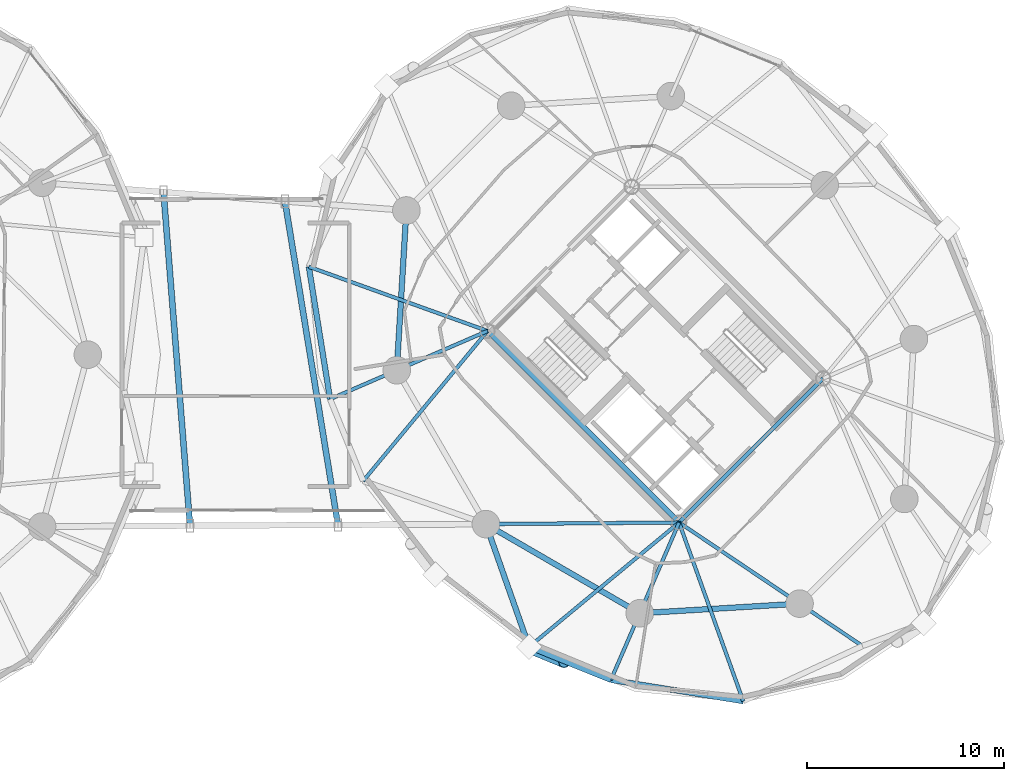
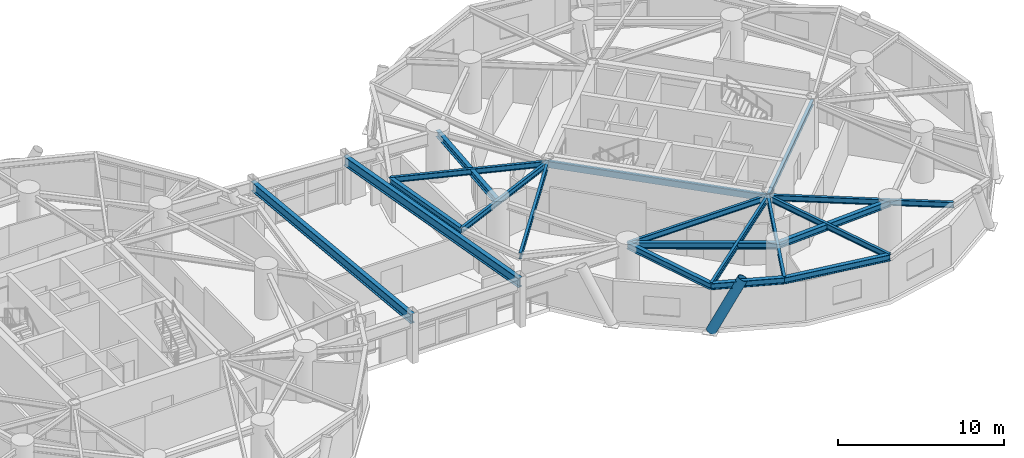
# One storey, part 5 of 20: 19 beams, 1 member.
"""IFC4 building model written with IfcOpenShell, lengths in metres."""

from ifc_helpers import new_model, si_unit, direction, frame, origin, origin_2d, place, context, subcontext, project, spatial, hollow_rectangle, hollow_circle, i_section, extrude, material, material_profile, profile_set, type_object, element, save


model = new_model("IFC4")

# Units and contexts
model_context = context("Model", 3, precision=1e-05, world=origin(), true_north=direction((0.0, 1.0)))
body_context = subcontext(model_context, "Body", "Model", "MODEL_VIEW")
ifc_project = project(units=[si_unit("LENGTHUNIT", "METRE"), si_unit("AREAUNIT", "SQUARE_METRE"), si_unit("VOLUMEUNIT", "CUBIC_METRE"), si_unit("PLANEANGLEUNIT", "RADIAN"), si_unit("MASSUNIT", "GRAM", prefix="KILO")], contexts=[model_context])

# Site, building, storey
site_placement = place(None, origin())
site = spatial("IfcSite", under=ifc_project, at=site_placement, CompositionType="ELEMENT")
building_placement = place(site_placement, origin())
building = spatial("IfcBuilding", under=site, at=building_placement, Name="Cununo Teusaquillo Station Towers", CompositionType="ELEMENT")
storey_placement = place(building_placement, frame((0.0, 0.0, 129.159912109375)))
storey = spatial("IfcBuildingStorey", under=building, at=storey_placement, Name="L41", CompositionType="ELEMENT", Elevation=129.159912109375)

# Beams
ifc_material_1 = material(Name="Steel EN 10025-2 S355J2", Category="steel")
ifc_material_profile_1 = material_profile(ifc_material_1, i_section(OverallWidth=0.300048828125, OverallDepth=0.699951171875, WebThickness=0.01708984375, FlangeThickness=0.031982421875, FilletRadius=0.027099609375, at=origin_2d()), Name="HEB 700")
ifc_profile_set_1 = profile_set([ifc_material_profile_1], Name="Steel EN 10025-2 S355J2")
beam_type_1 = type_object("IfcBeamType", Name="BM-BRG-FLR", PredefinedType="BEAM", material=ifc_profile_set_1)
beam_1_placement = place(storey_placement, frame((33.862548828125, 15.81201171875, 3.090087890625), z_axis=(-0.079188777853, 0.996859637794, 0.0), x_axis=(-0.996859637794, -0.079188777853, 0.0)))
element("IfcBeam", 1, at=beam_1_placement, inside=storey, type_object=beam_type_1, Name="L41 Mid-Bridge Transverse Floor Girder 1", PredefinedType="BEAM", context=body_context, shape_type="SweptSolid", body=[
    extrude(i_section(OverallWidth=0.300048828125, OverallDepth=0.699951171875, WebThickness=0.01708984375, FlangeThickness=0.031982421875, FilletRadius=0.027099609375, at=origin_2d()), origin(), (0.0, 0.0, 1.0), 17.0029296875),
])
beam_2_placement = place(storey_placement, frame((41.377685546875, 15.8525390625, 3.090087890625), z_axis=(-0.161629984279, 0.986851431666, 0.0), x_axis=(-0.986851431666, -0.161629984279, 0.0)))
element("IfcBeam", 2, at=beam_2_placement, inside=storey, type_object=beam_type_1, Name="L41 Mid-Bridge Transverse Floor Girder 2", PredefinedType="BEAM", context=body_context, shape_type="SweptSolid", body=[
    extrude(i_section(OverallWidth=0.300048828125, OverallDepth=0.699951171875, WebThickness=0.01708984375, FlangeThickness=0.031982421875, FilletRadius=0.027099609375, at=origin_2d()), origin(), (0.0, 0.0, 1.0), 16.66064453125),
])
ifc_material_2 = material(Name="Steel EN 10025-2 S355J2", Category="steel")
ifc_material_profile_2 = material_profile(ifc_material_2, hollow_rectangle(XDim=0.25, YDim=0.449951171875, WallThickness=0.01611328125, at=origin_2d()), Name="RHS 450x250x16")
ifc_profile_set_2 = profile_set([ifc_material_profile_2], Name="Steel EN 10025-2 S355J2")
beam_type_2 = type_object("IfcBeamType", Name="BM-COUP-1", PredefinedType="USERDEFINED", material=ifc_profile_set_2)
beam_3_placement = place(storey_placement, frame((58.70556640625, 15.975830078125, 3.215087890625), z_axis=(-0.707106781187, 0.707106781187, 0.0), x_axis=(-0.707106781187, -0.707106781187, 0.0)))
element("IfcBeam", 3, at=beam_3_placement, inside=storey, type_object=beam_type_2, Name="L41 Tower B Core Beam 1", ObjectType="COUPLING BEAM", PredefinedType="USERDEFINED", context=body_context, shape_type="SweptSolid", body=[
    extrude(hollow_rectangle(XDim=0.25, YDim=0.449951171875, WallThickness=0.01611328125, at=origin_2d()), origin(), (0.0, 0.0, 1.0), 13.760009765625),
])
ifc_material_3 = material(Name="Steel ASTM A572 Grade 50", Category="steel")
ifc_material_profile_3 = material_profile(ifc_material_3, i_section(OverallWidth=0.180908203125, OverallDepth=0.4169921875, WebThickness=0.010986328125, FlangeThickness=0.018310546875, FilletRadius=0.012939453125, at=origin_2d()), Name="W16X57")
ifc_profile_set_3 = profile_set([ifc_material_profile_3], Name="Steel ASTM A572 Grade 50")
beam_type_3 = type_object("IfcBeamType", Name="BM-JOIST-1", PredefinedType="JOIST", material=ifc_profile_set_3)
beam_4_placement = place(storey_placement, frame((48.975830078125, 25.70556640625, 3.231689453125), z_axis=(-0.941082771055, 0.338176312038, 0.0), x_axis=(-0.338176312038, -0.941082771055, 0.0)))
element("IfcBeam", 4, at=beam_4_placement, inside=storey, type_object=beam_type_3, Name="L41 Tower B Radial Spandrel Joist V07", PredefinedType="JOIST", context=body_context, shape_type="SweptSolid", body=[
    extrude(i_section(OverallWidth=0.180908203125, OverallDepth=0.4169921875, WebThickness=0.010986328125, FlangeThickness=0.018310546875, FilletRadius=0.012939453125, at=origin_2d()), origin(), (0.0, 0.0, 1.0), 9.646484375),
])
for number, where, z_axis, x_axis, name in (
    (5, (48.975830078125, 25.70556640625, 3.231689453125), (-0.638372238196, -0.769727799615, 0.0), (0.769727799615, -0.638372238196, 0.0), "L41 Tower B Radial Spandrel Joist V09"),
    (6, (58.70556640625, 15.975830078125, 3.231689453125), (-0.769727799615, -0.638372238196, 0.0), (0.638372238196, -0.769727799615, 0.0), "L41 Tower B Radial Spandrel Joist V11"),
):
    element("IfcBeam", number, at=place(storey_placement, frame(where, z_axis=z_axis, x_axis=x_axis)), inside=storey, type_object=beam_type_3, Name=name, PredefinedType="JOIST", context=body_context, shape_type="SweptSolid", body=[
        extrude(i_section(OverallWidth=0.180908203125, OverallDepth=0.4169921875, WebThickness=0.010986328125, FlangeThickness=0.018310546875, FilletRadius=0.012939453125, at=origin_2d()), origin(), (0.0, 0.0, 1.0), 9.895263671875),
    ])
beam_5_placement = place(storey_placement, frame((58.70556640625, 15.975830078125, 3.231689453125), z_axis=(0.338176312038, -0.941082771055, 0.0), x_axis=(0.941082771055, 0.338176312038, 0.0)))
element("IfcBeam", 7, at=beam_5_placement, inside=storey, type_object=beam_type_3, Name="L41 Tower B Radial Spandrel Joist V13", PredefinedType="JOIST", context=body_context, shape_type="SweptSolid", body=[
    extrude(i_section(OverallWidth=0.180908203125, OverallDepth=0.4169921875, WebThickness=0.010986328125, FlangeThickness=0.018310546875, FilletRadius=0.012939453125, at=origin_2d()), origin(), (0.0, 0.0, 1.0), 9.646484375),
])
ifc_material_4 = material(Name="Steel ASTM A572 Grade 50", Category="steel")
ifc_material_profile_4 = material_profile(ifc_material_4, i_section(OverallWidth=0.2041015625, OverallDepth=0.35009765625, WebThickness=0.008544921875, FlangeThickness=0.01513671875, FilletRadius=0.011962890625, at=origin_2d()), Name="W14X48")
ifc_profile_set_4 = profile_set([ifc_material_profile_4], Name="Steel ASTM A572 Grade 50")
beam_type_4 = type_object("IfcBeamType", Name="BM-LINTEL-1", PredefinedType="LINTEL", material=ifc_profile_set_4)
beam_6_placement = place(storey_placement, frame((58.70556640625, 15.975830078125, 3.26513671875), z_axis=(0.707106781187, 0.707106781187, 0.0), x_axis=(-0.707106781187, 0.707106781187, 0.0)))
element("IfcBeam", 8, at=beam_6_placement, inside=storey, type_object=beam_type_4, Name="L41 Tower B Core Beam 3", PredefinedType="LINTEL", context=body_context, shape_type="SweptSolid", body=[
    extrude(i_section(OverallWidth=0.2041015625, OverallDepth=0.35009765625, WebThickness=0.008544921875, FlangeThickness=0.01513671875, FilletRadius=0.011962890625, at=origin_2d()), origin(), (0.0, 0.0, 1.0), 10.35009765625),
])
ifc_material_5 = material(Name="Steel ASTM A572 Grade 50", Category="steel")
ifc_material_profile_5 = material_profile(ifc_material_5, i_section(OverallWidth=0.180908203125, OverallDepth=0.4169921875, WebThickness=0.010986328125, FlangeThickness=0.018310546875, FilletRadius=0.012939453125, at=origin_2d()), Name="W16X57")
ifc_profile_set_5 = profile_set([ifc_material_profile_5], Name="Steel ASTM A572 Grade 50")
beam_type_5 = type_object("IfcBeamType", Name="BM-RAD-G2", PredefinedType="BEAM", material=ifc_profile_set_5)
beam_7_placement = place(storey_placement, frame((48.975830078125, 25.70556640625, 3.231689453125), z_axis=(-0.917654733344, -0.397378648609, 0.0), x_axis=(0.397378648609, -0.917654733344, 0.0)))
element("IfcBeam", 9, at=beam_7_placement, inside=storey, type_object=beam_type_5, Name="L41 Tower B Continuous Overhanging Radial Girder 05", PredefinedType="BEAM", context=body_context, shape_type="SweptSolid", body=[
    extrude(i_section(OverallWidth=0.180908203125, OverallDepth=0.4169921875, WebThickness=0.010986328125, FlangeThickness=0.018310546875, FilletRadius=0.012939453125, at=origin_2d()), origin(), (0.0, 0.0, 1.0), 8.71484375),
])
beam_8_placement = place(storey_placement, frame((58.70556640625, 15.975830078125, 3.231689453125), z_axis=(-0.999964431382, -0.008434214327, 0.0), x_axis=(0.008434214327, -0.999964431382, 0.0)))
element("IfcBeam", 10, at=beam_8_placement, inside=storey, type_object=beam_type_5, Name="L41 Tower B Radial Girder 06A", PredefinedType="BEAM", context=body_context, shape_type="SweptSolid", body=[
    extrude(i_section(OverallWidth=0.180908203125, OverallDepth=0.4169921875, WebThickness=0.010986328125, FlangeThickness=0.018310546875, FilletRadius=0.012939453125, at=origin_2d()), origin(), (0.0, 0.0, 1.0), 9.812744140625),
])
beam_9_placement = place(storey_placement, frame((58.70556640625, 15.975830078125, 3.231689453125), z_axis=(-0.397378648609, -0.917654733344, 0.0), x_axis=(0.917654733344, -0.397378648609, 0.0)))
element("IfcBeam", 11, at=beam_9_placement, inside=storey, type_object=beam_type_5, Name="L41 Tower B Continuous Overhanging Radial Girder 07", PredefinedType="BEAM", context=body_context, shape_type="SweptSolid", body=[
    extrude(i_section(OverallWidth=0.180908203125, OverallDepth=0.4169921875, WebThickness=0.010986328125, FlangeThickness=0.018310546875, FilletRadius=0.012939453125, at=origin_2d()), origin(), (0.0, 0.0, 1.0), 8.71484375),
])
beam_10_placement = place(storey_placement, frame((58.70556640625, 15.975830078125, 3.231689453125), z_axis=(0.82945583878, -0.558572297481, 0.0), x_axis=(0.558572297481, 0.82945583878, 0.0)))
element("IfcBeam", 12, at=beam_10_placement, inside=storey, type_object=beam_type_5, Name="L41 Tower B Continuous Overhanging Radial Girder 08", PredefinedType="BEAM", context=body_context, shape_type="SweptSolid", body=[
    extrude(i_section(OverallWidth=0.180908203125, OverallDepth=0.4169921875, WebThickness=0.010986328125, FlangeThickness=0.018310546875, FilletRadius=0.012939453125, at=origin_2d()), origin(), (0.0, 0.0, 1.0), 11.22998046875),
])
ifc_material_6 = material(Name="Steel ASTM A572 Grade 50", Category="steel")
ifc_material_profile_6 = material_profile(ifc_material_6, i_section(OverallWidth=0.280029296875, OverallDepth=0.462890625, WebThickness=0.0107421875, FlangeThickness=0.017333984375, FilletRadius=0.013916015625, at=origin_2d()), Name="W18X76")
ifc_profile_set_6 = profile_set([ifc_material_profile_6], Name="Steel ASTM A572 Grade 50")
beam_type_6 = type_object("IfcBeamType", Name="BM-RING-Z2", PredefinedType="SPANDREL", material=ifc_profile_set_6)
beam_11_placement = place(storey_placement, frame((44.853759765625, 31.826904296875, 3.20849609375), z_axis=(-0.06012979176, -0.998190567048, 0.0), x_axis=(0.998190567048, -0.06012979176, 0.0)))
element("IfcBeam", 13, at=beam_11_placement, inside=storey, type_object=beam_type_6, Name="L41 Tower B Structural Column Ring Girder 04", PredefinedType="SPANDREL", context=body_context, shape_type="SweptSolid", body=[
    extrude(i_section(OverallWidth=0.280029296875, OverallDepth=0.462890625, WebThickness=0.0107421875, FlangeThickness=0.017333984375, FilletRadius=0.013916015625, at=origin_2d()), origin(), (0.0, 0.0, 1.0), 8.132568359375),
])
beam_12_placement = place(storey_placement, frame((48.89306640625, 15.89306640625, 3.20849609375), z_axis=(0.865267103202, -0.501311121078, 0.0), x_axis=(0.501311121078, 0.865267103202, 0.0)))
element("IfcBeam", 14, at=beam_12_placement, inside=storey, type_object=beam_type_6, Name="L41 Tower B Structural Column Ring Girder 06", PredefinedType="SPANDREL", context=body_context, shape_type="SweptSolid", body=[
    extrude(i_section(OverallWidth=0.280029296875, OverallDepth=0.462890625, WebThickness=0.0107421875, FlangeThickness=0.017333984375, FilletRadius=0.013916015625, at=origin_2d()), origin(), (0.0, 0.0, 1.0), 9.032958984375),
])
beam_13_placement = place(storey_placement, frame((56.708984375, 11.36474609375, 3.20849609375), z_axis=(0.998190567048, 0.06012979176, 0.0), x_axis=(-0.06012979176, 0.998190567048, 0.0)))
element("IfcBeam", 15, at=beam_13_placement, inside=storey, type_object=beam_type_6, Name="L41 Tower B Structural Column Ring Girder 07", PredefinedType="SPANDREL", context=body_context, shape_type="SweptSolid", body=[
    extrude(i_section(OverallWidth=0.280029296875, OverallDepth=0.462890625, WebThickness=0.0107421875, FlangeThickness=0.017333984375, FilletRadius=0.013916015625, at=origin_2d()), origin(), (0.0, 0.0, 1.0), 8.132568359375),
])
beam_14_placement = place(storey_placement, frame((39.897705078125, 28.9677734375, 3.20849609375), z_axis=(0.158671232312, -0.987331474246, 0.0), x_axis=(0.987331474246, 0.158671232312, 0.0)))
element("IfcBeam", 16, at=beam_14_placement, inside=storey, type_object=beam_type_6, Name="L41 Tower B Spandrel Ring Beam 08", PredefinedType="SPANDREL", context=body_context, shape_type="SweptSolid", body=[
    extrude(i_section(OverallWidth=0.280029296875, OverallDepth=0.462890625, WebThickness=0.0107421875, FlangeThickness=0.017333984375, FilletRadius=0.013916015625, at=origin_2d()), origin(), (0.0, 0.0, 1.0), 6.8115234375),
])
beam_15_placement = place(storey_placement, frame((48.89306640625, 15.89306640625, 3.20849609375), z_axis=(0.332217227276, -0.943202901767, 0.0), x_axis=(0.943202901767, 0.332217227276, 0.0)))
element("IfcBeam", 17, at=beam_15_placement, inside=storey, type_object=beam_type_6, Name="L41 Tower B Spandrel Ring Beam 11", PredefinedType="SPANDREL", context=body_context, shape_type="SweptSolid", body=[
    extrude(i_section(OverallWidth=0.280029296875, OverallDepth=0.462890625, WebThickness=0.0107421875, FlangeThickness=0.017333984375, FilletRadius=0.013916015625, at=origin_2d()), origin(), (0.0, 0.0, 1.0), 6.609619140625),
])
beam_16_placement = place(storey_placement, frame((51.0888671875, 9.658935546875, 3.20849609375), z_axis=(0.927007712072, -0.375042266631, 0.0), x_axis=(0.375042266631, 0.927007712072, 0.0)))
element("IfcBeam", 18, at=beam_16_placement, inside=storey, type_object=beam_type_6, Name="L41 Tower B Spandrel Ring Beam 12", PredefinedType="SPANDREL", context=body_context, shape_type="SweptSolid", body=[
    extrude(i_section(OverallWidth=0.280029296875, OverallDepth=0.462890625, WebThickness=0.0107421875, FlangeThickness=0.017333984375, FilletRadius=0.013916015625, at=origin_2d()), origin(), (0.0, 0.0, 1.0), 4.480712890625),
])
beam_17_placement = place(storey_placement, frame((55.242431640625, 7.978515625, 3.20849609375), z_axis=(0.987331474246, -0.158671232312, 0.0), x_axis=(0.158671232312, 0.987331474246, 0.0)))
element("IfcBeam", 19, at=beam_17_placement, inside=storey, type_object=beam_type_6, Name="L41 Tower B Spandrel Ring Beam 13", PredefinedType="SPANDREL", context=body_context, shape_type="SweptSolid", body=[
    extrude(i_section(OverallWidth=0.280029296875, OverallDepth=0.462890625, WebThickness=0.0107421875, FlangeThickness=0.017333984375, FilletRadius=0.013916015625, at=origin_2d()), origin(), (0.0, 0.0, 1.0), 6.8115234375),
])

# Member
ifc_material_7 = material(Name="Steel EN 10025-2 S355J2", Category="steel")
ifc_material_profile_7 = material_profile(ifc_material_7, hollow_circle(Radius=0.330078125, WallThickness=0.02490234375, at=origin_2d()), Name="CHS 660x25")
ifc_profile_set_7 = profile_set([ifc_material_profile_7], Name="Steel EN 10025-2 S355J2")
member_type = type_object("IfcMemberType", Name="MBR-DIAG-Z2", PredefinedType="BRACE", material=ifc_profile_set_7)
member_placement = place(storey_placement, frame((51.0888671875, 9.658935546875, -0.139892578125), z_axis=(0.428115425103, -0.175981676985, 0.886424070157), x_axis=(0.380193455452, 0.924906987989, 0.0)))
element("IfcMember", 20, at=member_placement, inside=storey, type_object=member_type, Name="L41 Tower B Folded-Zigzag Diagrid Tube C11", PredefinedType="BRACE", context=body_context, shape_type="SweptSolid", body=[
    extrude(hollow_circle(Radius=0.330078125, WallThickness=0.02490234375, at=origin_2d()), origin(), (0.0, 0.0, 1.0), 4.196533203125),
])

save(model, "model.ifc")
